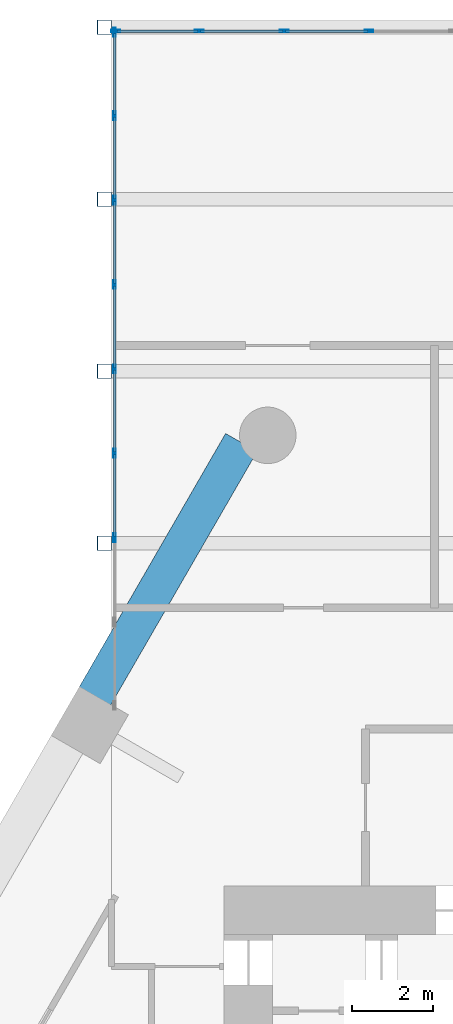
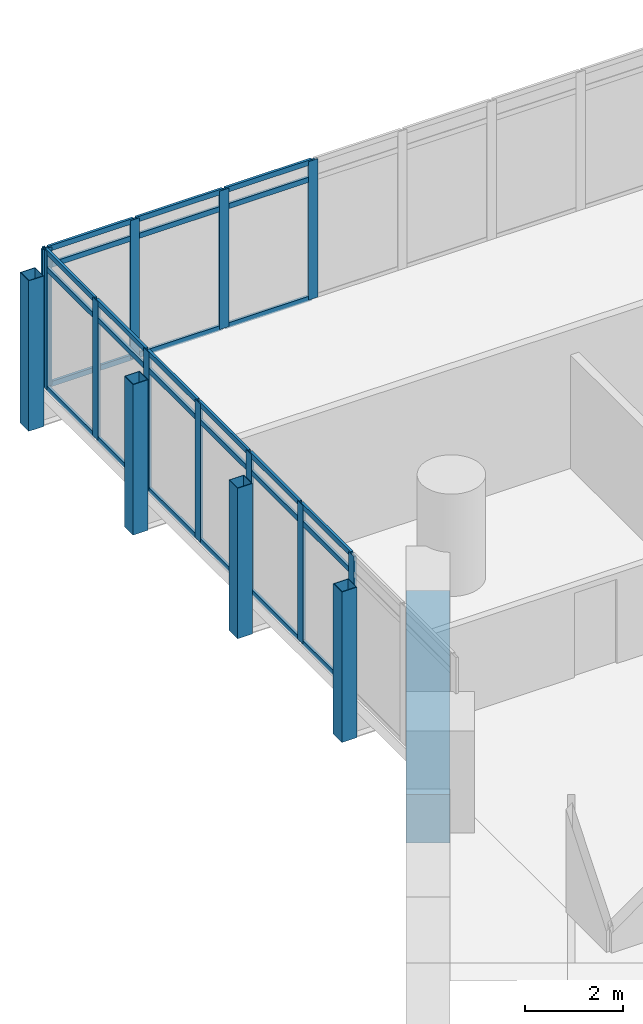
# One storey, part 13 of 28: 42 members, 1 beam, 2 elements without a shape of their own.
"""IFC4 building model written with IfcOpenShell, lengths in metres."""

from ifc_helpers import new_model, si_unit, direction, frame, origin, origin_2d, place, context, subcontext, project, spatial, rectangle, hollow_rectangle, extrude, material, material_profile, profile_set, type_object, element, aggregate, save


model = new_model("IFC4")

# Units and contexts
model_context = context("Model", 3, precision=1e-05, world=origin(), true_north=direction((0.0, 1.0)))
body_context = subcontext(model_context, "Body", "Model", "MODEL_VIEW")
ifc_project = project(units=[si_unit("LENGTHUNIT", "METRE"), si_unit("AREAUNIT", "SQUARE_METRE"), si_unit("VOLUMEUNIT", "CUBIC_METRE"), si_unit("PLANEANGLEUNIT", "RADIAN"), si_unit("MASSUNIT", "GRAM", prefix="KILO")], contexts=[model_context])

# Site, building, storey
site_placement = place(None, origin())
site = spatial("IfcSite", under=ifc_project, at=site_placement, CompositionType="ELEMENT")
building_placement = place(site_placement, origin())
building = spatial("IfcBuilding", under=site, at=building_placement, Name="Ostrander Bayou Hotel Tower", CompositionType="ELEMENT")
storey_placement = place(building_placement, frame((0.0, 0.0, 73.0)))
storey = spatial("IfcBuildingStorey", under=building, at=storey_placement, Name="L18", CompositionType="ELEMENT", Elevation=73.0)

# Curtain wall, members
ifc_material_1 = material(Name="Aluminium and clear glass", Category="aluminium")
curtain_wall_type = type_object("IfcCurtainWallType", Name="CW-BAR glazed wall", PredefinedType="NOTDEFINED", material=ifc_material_1)
curtain_wall_1_placement = place(storey_placement, origin())
curtain_wall_1 = element("IfcCurtainWall", 1, at=curtain_wall_1_placement, inside=storey, type_object=curtain_wall_type, Name="CW-BAR L18:SB1N:E", PredefinedType="NOTDEFINED")
ifc_material_2 = material(Name="Aluminium", Category="aluminium")
ifc_material_profile_1 = material_profile(ifc_material_2, hollow_rectangle(XDim=0.06005859375, YDim=0.219970703125, WallThickness=0.00390625, at=origin_2d()))
ifc_profile_set_1 = profile_set([ifc_material_profile_1], Name="Aluminium")
member_type_1 = type_object("IfcMemberType", Name="CW-BR mullion 60 x 220 mm", PredefinedType="MULLION", material=ifc_profile_set_1)
member_1_placement = place(storey_placement, frame((-14.712158203125, 18.33154296875, 0.0), z_axis=(0.0, 0.0, 1.0), x_axis=(-1.0, 0.0, 0.0)))
member_1 = element("IfcMember", 2, at=member_1_placement, type_object=member_type_1, Name="CW-BAR mullion 3", PredefinedType="MULLION", context=body_context, shape_type="SweptSolid", body=[
    extrude(hollow_rectangle(XDim=0.06005859375, YDim=0.219970703125, WallThickness=0.00390625, at=origin_2d()), origin(), (0.0, 0.0, 1.0), 3.449951171875),
])
member_2_placement = place(storey_placement, frame((-14.712158203125, 20.424072265625, 0.0), z_axis=(0.0, 0.0, 1.0), x_axis=(-1.0, 0.0, 0.0)))
member_2 = element("IfcMember", 3, at=member_2_placement, type_object=member_type_1, Name="CW-BAR mullion 4", PredefinedType="MULLION", context=body_context, shape_type="SweptSolid", body=[
    extrude(hollow_rectangle(XDim=0.06005859375, YDim=0.219970703125, WallThickness=0.00390625, at=origin_2d()), origin(), (0.0, 0.0, 1.0), 3.449951171875),
])
member_3_placement = place(storey_placement, frame((-14.712158203125, 22.5166015625, 0.0), z_axis=(0.0, 0.0, 1.0), x_axis=(-1.0, 0.0, 0.0)))
member_3 = element("IfcMember", 4, at=member_3_placement, type_object=member_type_1, Name="CW-BAR mullion 5", PredefinedType="MULLION", context=body_context, shape_type="SweptSolid", body=[
    extrude(hollow_rectangle(XDim=0.06005859375, YDim=0.219970703125, WallThickness=0.00390625, at=origin_2d()), origin(), (0.0, 0.0, 1.0), 3.449951171875),
])
member_4_placement = place(storey_placement, frame((-14.712158203125, 24.60888671875, 0.0), z_axis=(0.0, 0.0, 1.0), x_axis=(-1.0, 0.0, 0.0)))
member_4 = element("IfcMember", 5, at=member_4_placement, type_object=member_type_1, Name="CW-BAR mullion 6", PredefinedType="MULLION", context=body_context, shape_type="SweptSolid", body=[
    extrude(hollow_rectangle(XDim=0.06005859375, YDim=0.219970703125, WallThickness=0.00390625, at=origin_2d()), origin(), (0.0, 0.0, 1.0), 3.449951171875),
])
member_5_placement = place(storey_placement, frame((-14.712158203125, 26.701416015625, 0.0), z_axis=(0.0, 0.0, 1.0), x_axis=(-1.0, 0.0, 0.0)))
member_5 = element("IfcMember", 6, at=member_5_placement, type_object=member_type_1, Name="CW-BAR mullion 7", PredefinedType="MULLION", context=body_context, shape_type="SweptSolid", body=[
    extrude(hollow_rectangle(XDim=0.06005859375, YDim=0.219970703125, WallThickness=0.00390625, at=origin_2d()), origin(), (0.0, 0.0, 1.0), 3.449951171875),
])
member_6_placement = place(storey_placement, frame((-14.712158203125, 28.793701171875, 0.0), z_axis=(0.0, 0.0, 1.0), x_axis=(-1.0, 0.0, 0.0)))
member_6 = element("IfcMember", 7, at=member_6_placement, type_object=member_type_1, Name="CW-BAR mullion 8", PredefinedType="MULLION", context=body_context, shape_type="SweptSolid", body=[
    extrude(hollow_rectangle(XDim=0.06005859375, YDim=0.219970703125, WallThickness=0.00390625, at=origin_2d()), origin(), (0.0, 0.0, 1.0), 3.449951171875),
])
member_7_placement = place(storey_placement, frame((-14.712158203125, 30.856201171875, 0.0), z_axis=(0.0, 0.0, 1.0), x_axis=(-1.0, 0.0, 0.0)))
member_7 = element("IfcMember", 8, at=member_7_placement, type_object=member_type_1, Name="CW-BAR mullion 9", PredefinedType="MULLION", context=body_context, shape_type="SweptSolid", body=[
    extrude(hollow_rectangle(XDim=0.06005859375, YDim=0.219970703125, WallThickness=0.00390625, at=origin_2d()), origin(), (0.0, 0.0, 1.0), 3.449951171875),
])

curtain_wall_2_placement = place(storey_placement, origin())
curtain_wall_2 = element("IfcCurtainWall", 9, at=curtain_wall_2_placement, inside=storey, type_object=curtain_wall_type, Name="CW-BAR L18:SB1N:T", PredefinedType="NOTDEFINED")
member_8_placement = place(storey_placement, frame((-14.68212890625, 30.88623046875, 0.0), z_axis=(0.0, 0.0, 1.0), x_axis=(0.0, 1.0, 0.0)))
member_8 = element("IfcMember", 10, at=member_8_placement, type_object=member_type_1, Name="CW-BAR mullion 1", PredefinedType="MULLION", context=body_context, shape_type="SweptSolid", body=[
    extrude(hollow_rectangle(XDim=0.06005859375, YDim=0.219970703125, WallThickness=0.00390625, at=origin_2d()), origin(), (0.0, 0.0, 1.0), 3.449951171875),
])
member_9_placement = place(storey_placement, frame((-12.6103515625, 30.88623046875, 0.0), z_axis=(0.0, 0.0, 1.0), x_axis=(0.0, 1.0, 0.0)))
member_9 = element("IfcMember", 11, at=member_9_placement, type_object=member_type_1, Name="CW-BAR mullion 2", PredefinedType="MULLION", context=body_context, shape_type="SweptSolid", body=[
    extrude(hollow_rectangle(XDim=0.06005859375, YDim=0.219970703125, WallThickness=0.00390625, at=origin_2d()), origin(), (0.0, 0.0, 1.0), 3.449951171875),
])
member_10_placement = place(storey_placement, frame((-10.5087890625, 30.88623046875, 0.0), z_axis=(0.0, 0.0, 1.0), x_axis=(0.0, 1.0, 0.0)))
member_10 = element("IfcMember", 12, at=member_10_placement, type_object=member_type_1, Name="CW-BAR mullion 3", PredefinedType="MULLION", context=body_context, shape_type="SweptSolid", body=[
    extrude(hollow_rectangle(XDim=0.06005859375, YDim=0.219970703125, WallThickness=0.00390625, at=origin_2d()), origin(), (0.0, 0.0, 1.0), 3.449951171875),
])
member_11_placement = place(storey_placement, frame((-8.406982421875, 30.88623046875, 0.0), z_axis=(0.0, 0.0, 1.0), x_axis=(0.0, 1.0, 0.0)))
member_11 = element("IfcMember", 13, at=member_11_placement, type_object=member_type_1, Name="CW-BAR mullion 4", PredefinedType="MULLION", context=body_context, shape_type="SweptSolid", body=[
    extrude(hollow_rectangle(XDim=0.06005859375, YDim=0.219970703125, WallThickness=0.00390625, at=origin_2d()), origin(), (0.0, 0.0, 1.0), 3.449951171875),
])

# Member
ifc_material_3 = material(Name="Aluminium", Category="aluminium")
ifc_material_profile_2 = material_profile(ifc_material_3, hollow_rectangle(XDim=0.06005859375, YDim=0.1298828125, WallThickness=0.00390625, at=origin_2d()))
ifc_profile_set_2 = profile_set([ifc_material_profile_2], Name="Aluminium")
member_type_2 = type_object("IfcMemberType", Name="CW-BR transom 60 x 130 mm", PredefinedType="USERDEFINED", material=ifc_profile_set_2)
member_12_placement = place(storey_placement, frame((-14.712158203125, 18.361572265625, 0.030029296875), z_axis=(0.0, 1.0, 0.0), x_axis=(-1.0, 0.0, 0.0)))
member_12 = element("IfcMember", 14, at=member_12_placement, type_object=member_type_2, Name="CW-BAR transom 3.1", ObjectType="TRANSOM", PredefinedType="USERDEFINED", context=body_context, shape_type="SweptSolid", body=[
    extrude(hollow_rectangle(XDim=0.06005859375, YDim=0.1298828125, WallThickness=0.00390625, at=origin_2d()), origin(), (0.0, 0.0, 1.0), 2.032470703125),
])

member_13_placement = place(storey_placement, frame((-14.712158203125, 18.361572265625, 3.0), z_axis=(0.0, 1.0, 0.0), x_axis=(-1.0, 0.0, 0.0)))
member_13 = element("IfcMember", 15, at=member_13_placement, type_object=member_type_2, Name="CW-BAR transom 3.2", ObjectType="TRANSOM", PredefinedType="USERDEFINED", context=body_context, shape_type="SweptSolid", body=[
    extrude(hollow_rectangle(XDim=0.06005859375, YDim=0.1298828125, WallThickness=0.00390625, at=origin_2d()), origin(), (0.0, 0.0, 1.0), 2.032470703125),
])

member_14_placement = place(storey_placement, frame((-14.712158203125, 18.361572265625, 3.419921875), z_axis=(0.0, 1.0, 0.0), x_axis=(-1.0, 0.0, 0.0)))
member_14 = element("IfcMember", 16, at=member_14_placement, type_object=member_type_2, Name="CW-BAR transom 3.3", ObjectType="TRANSOM", PredefinedType="USERDEFINED", context=body_context, shape_type="SweptSolid", body=[
    extrude(hollow_rectangle(XDim=0.06005859375, YDim=0.1298828125, WallThickness=0.00390625, at=origin_2d()), origin(), (0.0, 0.0, 1.0), 2.032470703125),
])

member_15_placement = place(storey_placement, frame((-14.712158203125, 20.4541015625, 0.030029296875), z_axis=(0.0, 1.0, 0.0), x_axis=(-1.0, 0.0, 0.0)))
member_15 = element("IfcMember", 17, at=member_15_placement, type_object=member_type_2, Name="CW-BAR transom 4.1", ObjectType="TRANSOM", PredefinedType="USERDEFINED", context=body_context, shape_type="SweptSolid", body=[
    extrude(hollow_rectangle(XDim=0.06005859375, YDim=0.1298828125, WallThickness=0.00390625, at=origin_2d()), origin(), (0.0, 0.0, 1.0), 2.032470703125),
])

member_16_placement = place(storey_placement, frame((-14.712158203125, 20.4541015625, 3.0), z_axis=(0.0, 1.0, 0.0), x_axis=(-1.0, 0.0, 0.0)))
member_16 = element("IfcMember", 18, at=member_16_placement, type_object=member_type_2, Name="CW-BAR transom 4.2", ObjectType="TRANSOM", PredefinedType="USERDEFINED", context=body_context, shape_type="SweptSolid", body=[
    extrude(hollow_rectangle(XDim=0.06005859375, YDim=0.1298828125, WallThickness=0.00390625, at=origin_2d()), origin(), (0.0, 0.0, 1.0), 2.032470703125),
])

member_17_placement = place(storey_placement, frame((-14.712158203125, 20.4541015625, 3.419921875), z_axis=(0.0, 1.0, 0.0), x_axis=(-1.0, 0.0, 0.0)))
member_17 = element("IfcMember", 19, at=member_17_placement, type_object=member_type_2, Name="CW-BAR transom 4.3", ObjectType="TRANSOM", PredefinedType="USERDEFINED", context=body_context, shape_type="SweptSolid", body=[
    extrude(hollow_rectangle(XDim=0.06005859375, YDim=0.1298828125, WallThickness=0.00390625, at=origin_2d()), origin(), (0.0, 0.0, 1.0), 2.032470703125),
])

member_18_placement = place(storey_placement, frame((-14.712158203125, 22.54638671875, 0.030029296875), z_axis=(0.0, 1.0, 0.0), x_axis=(-1.0, 0.0, 0.0)))
member_18 = element("IfcMember", 20, at=member_18_placement, type_object=member_type_2, Name="CW-BAR transom 5.1", ObjectType="TRANSOM", PredefinedType="USERDEFINED", context=body_context, shape_type="SweptSolid", body=[
    extrude(hollow_rectangle(XDim=0.06005859375, YDim=0.1298828125, WallThickness=0.00390625, at=origin_2d()), origin(), (0.0, 0.0, 1.0), 2.032470703125),
])

member_19_placement = place(storey_placement, frame((-14.712158203125, 22.54638671875, 3.0), z_axis=(0.0, 1.0, 0.0), x_axis=(-1.0, 0.0, 0.0)))
member_19 = element("IfcMember", 21, at=member_19_placement, type_object=member_type_2, Name="CW-BAR transom 5.2", ObjectType="TRANSOM", PredefinedType="USERDEFINED", context=body_context, shape_type="SweptSolid", body=[
    extrude(hollow_rectangle(XDim=0.06005859375, YDim=0.1298828125, WallThickness=0.00390625, at=origin_2d()), origin(), (0.0, 0.0, 1.0), 2.032470703125),
])

member_20_placement = place(storey_placement, frame((-14.712158203125, 22.54638671875, 3.419921875), z_axis=(0.0, 1.0, 0.0), x_axis=(-1.0, 0.0, 0.0)))
member_20 = element("IfcMember", 22, at=member_20_placement, type_object=member_type_2, Name="CW-BAR transom 5.3", ObjectType="TRANSOM", PredefinedType="USERDEFINED", context=body_context, shape_type="SweptSolid", body=[
    extrude(hollow_rectangle(XDim=0.06005859375, YDim=0.1298828125, WallThickness=0.00390625, at=origin_2d()), origin(), (0.0, 0.0, 1.0), 2.032470703125),
])

member_21_placement = place(storey_placement, frame((-14.712158203125, 24.638916015625, 0.030029296875), z_axis=(0.0, 1.0, 0.0), x_axis=(-1.0, 0.0, 0.0)))
member_21 = element("IfcMember", 23, at=member_21_placement, type_object=member_type_2, Name="CW-BAR transom 6.1", ObjectType="TRANSOM", PredefinedType="USERDEFINED", context=body_context, shape_type="SweptSolid", body=[
    extrude(hollow_rectangle(XDim=0.06005859375, YDim=0.1298828125, WallThickness=0.00390625, at=origin_2d()), origin(), (0.0, 0.0, 1.0), 2.032470703125),
])

member_22_placement = place(storey_placement, frame((-14.712158203125, 24.638916015625, 3.0), z_axis=(0.0, 1.0, 0.0), x_axis=(-1.0, 0.0, 0.0)))
member_22 = element("IfcMember", 24, at=member_22_placement, type_object=member_type_2, Name="CW-BAR transom 6.2", ObjectType="TRANSOM", PredefinedType="USERDEFINED", context=body_context, shape_type="SweptSolid", body=[
    extrude(hollow_rectangle(XDim=0.06005859375, YDim=0.1298828125, WallThickness=0.00390625, at=origin_2d()), origin(), (0.0, 0.0, 1.0), 2.032470703125),
])

member_23_placement = place(storey_placement, frame((-14.712158203125, 24.638916015625, 3.419921875), z_axis=(0.0, 1.0, 0.0), x_axis=(-1.0, 0.0, 0.0)))
member_23 = element("IfcMember", 25, at=member_23_placement, type_object=member_type_2, Name="CW-BAR transom 6.3", ObjectType="TRANSOM", PredefinedType="USERDEFINED", context=body_context, shape_type="SweptSolid", body=[
    extrude(hollow_rectangle(XDim=0.06005859375, YDim=0.1298828125, WallThickness=0.00390625, at=origin_2d()), origin(), (0.0, 0.0, 1.0), 2.032470703125),
])

member_24_placement = place(storey_placement, frame((-14.712158203125, 26.7314453125, 0.030029296875), z_axis=(0.0, 1.0, 0.0), x_axis=(-1.0, 0.0, 0.0)))
member_24 = element("IfcMember", 26, at=member_24_placement, type_object=member_type_2, Name="CW-BAR transom 7.1", ObjectType="TRANSOM", PredefinedType="USERDEFINED", context=body_context, shape_type="SweptSolid", body=[
    extrude(hollow_rectangle(XDim=0.06005859375, YDim=0.1298828125, WallThickness=0.00390625, at=origin_2d()), origin(), (0.0, 0.0, 1.0), 2.0322265625),
])

member_25_placement = place(storey_placement, frame((-14.712158203125, 26.7314453125, 3.0), z_axis=(0.0, 1.0, 0.0), x_axis=(-1.0, 0.0, 0.0)))
member_25 = element("IfcMember", 27, at=member_25_placement, type_object=member_type_2, Name="CW-BAR transom 7.2", ObjectType="TRANSOM", PredefinedType="USERDEFINED", context=body_context, shape_type="SweptSolid", body=[
    extrude(hollow_rectangle(XDim=0.06005859375, YDim=0.1298828125, WallThickness=0.00390625, at=origin_2d()), origin(), (0.0, 0.0, 1.0), 2.0322265625),
])

member_26_placement = place(storey_placement, frame((-14.712158203125, 26.7314453125, 3.419921875), z_axis=(0.0, 1.0, 0.0), x_axis=(-1.0, 0.0, 0.0)))
member_26 = element("IfcMember", 28, at=member_26_placement, type_object=member_type_2, Name="CW-BAR transom 7.3", ObjectType="TRANSOM", PredefinedType="USERDEFINED", context=body_context, shape_type="SweptSolid", body=[
    extrude(hollow_rectangle(XDim=0.06005859375, YDim=0.1298828125, WallThickness=0.00390625, at=origin_2d()), origin(), (0.0, 0.0, 1.0), 2.0322265625),
])

member_27_placement = place(storey_placement, frame((-14.712158203125, 28.82373046875, 0.030029296875), z_axis=(0.0, 1.0, 0.0), x_axis=(-1.0, 0.0, 0.0)))
member_27 = element("IfcMember", 29, at=member_27_placement, type_object=member_type_2, Name="CW-BAR transom 8.1", ObjectType="TRANSOM", PredefinedType="USERDEFINED", context=body_context, shape_type="SweptSolid", body=[
    extrude(hollow_rectangle(XDim=0.06005859375, YDim=0.1298828125, WallThickness=0.00390625, at=origin_2d()), origin(), (0.0, 0.0, 1.0), 2.00244140625),
])

member_28_placement = place(storey_placement, frame((-14.712158203125, 28.82373046875, 3.0), z_axis=(0.0, 1.0, 0.0), x_axis=(-1.0, 0.0, 0.0)))
member_28 = element("IfcMember", 30, at=member_28_placement, type_object=member_type_2, Name="CW-BAR transom 8.2", ObjectType="TRANSOM", PredefinedType="USERDEFINED", context=body_context, shape_type="SweptSolid", body=[
    extrude(hollow_rectangle(XDim=0.06005859375, YDim=0.1298828125, WallThickness=0.00390625, at=origin_2d()), origin(), (0.0, 0.0, 1.0), 2.00244140625),
])

member_29_placement = place(storey_placement, frame((-14.712158203125, 28.82373046875, 3.419921875), z_axis=(0.0, 1.0, 0.0), x_axis=(-1.0, 0.0, 0.0)))
member_29 = element("IfcMember", 31, at=member_29_placement, type_object=member_type_2, Name="CW-BAR transom 8.3", ObjectType="TRANSOM", PredefinedType="USERDEFINED", context=body_context, shape_type="SweptSolid", body=[
    extrude(hollow_rectangle(XDim=0.06005859375, YDim=0.1298828125, WallThickness=0.00390625, at=origin_2d()), origin(), (0.0, 0.0, 1.0), 2.00244140625),
])

aggregate(curtain_wall_1, [member_1, member_2, member_3, member_4, member_5, member_6, member_7, member_12, member_13, member_14, member_15, member_16, member_17, member_18, member_19, member_20, member_21, member_22, member_23, member_24, member_25, member_26, member_27, member_28, member_29])

member_30_placement = place(storey_placement, frame((-14.652099609375, 30.88623046875, 0.030029296875), z_axis=(1.0, 0.0, 0.0), x_axis=(0.0, 1.0, 0.0)))
member_30 = element("IfcMember", 32, at=member_30_placement, type_object=member_type_2, Name="CW-BAR transom 1.1", ObjectType="TRANSOM", PredefinedType="USERDEFINED", context=body_context, shape_type="SweptSolid", body=[
    extrude(hollow_rectangle(XDim=0.06005859375, YDim=0.1298828125, WallThickness=0.00390625, at=origin_2d()), origin(), (0.0, 0.0, 1.0), 2.01171875),
])

member_31_placement = place(storey_placement, frame((-14.652099609375, 30.88623046875, 3.0), z_axis=(1.0, 0.0, 0.0), x_axis=(0.0, 1.0, 0.0)))
member_31 = element("IfcMember", 33, at=member_31_placement, type_object=member_type_2, Name="CW-BAR transom 1.2", ObjectType="TRANSOM", PredefinedType="USERDEFINED", context=body_context, shape_type="SweptSolid", body=[
    extrude(hollow_rectangle(XDim=0.06005859375, YDim=0.1298828125, WallThickness=0.00390625, at=origin_2d()), origin(), (0.0, 0.0, 1.0), 2.01171875),
])

member_32_placement = place(storey_placement, frame((-14.652099609375, 30.88623046875, 3.419921875), z_axis=(1.0, 0.0, 0.0), x_axis=(0.0, 1.0, 0.0)))
member_32 = element("IfcMember", 34, at=member_32_placement, type_object=member_type_2, Name="CW-BAR transom 1.3", ObjectType="TRANSOM", PredefinedType="USERDEFINED", context=body_context, shape_type="SweptSolid", body=[
    extrude(hollow_rectangle(XDim=0.06005859375, YDim=0.1298828125, WallThickness=0.00390625, at=origin_2d()), origin(), (0.0, 0.0, 1.0), 2.01171875),
])

member_33_placement = place(storey_placement, frame((-12.58056640625, 30.88623046875, 0.030029296875), z_axis=(1.0, 0.0, 0.0), x_axis=(0.0, 1.0, 0.0)))
member_33 = element("IfcMember", 35, at=member_33_placement, type_object=member_type_2, Name="CW-BAR transom 2.1", ObjectType="TRANSOM", PredefinedType="USERDEFINED", context=body_context, shape_type="SweptSolid", body=[
    extrude(hollow_rectangle(XDim=0.06005859375, YDim=0.1298828125, WallThickness=0.00390625, at=origin_2d()), origin(), (0.0, 0.0, 1.0), 2.041748046875),
])

member_34_placement = place(storey_placement, frame((-12.58056640625, 30.88623046875, 3.0), z_axis=(1.0, 0.0, 0.0), x_axis=(0.0, 1.0, 0.0)))
member_34 = element("IfcMember", 36, at=member_34_placement, type_object=member_type_2, Name="CW-BAR transom 2.2", ObjectType="TRANSOM", PredefinedType="USERDEFINED", context=body_context, shape_type="SweptSolid", body=[
    extrude(hollow_rectangle(XDim=0.06005859375, YDim=0.1298828125, WallThickness=0.00390625, at=origin_2d()), origin(), (0.0, 0.0, 1.0), 2.041748046875),
])

member_35_placement = place(storey_placement, frame((-12.58056640625, 30.88623046875, 3.419921875), z_axis=(1.0, 0.0, 0.0), x_axis=(0.0, 1.0, 0.0)))
member_35 = element("IfcMember", 37, at=member_35_placement, type_object=member_type_2, Name="CW-BAR transom 2.3", ObjectType="TRANSOM", PredefinedType="USERDEFINED", context=body_context, shape_type="SweptSolid", body=[
    extrude(hollow_rectangle(XDim=0.06005859375, YDim=0.1298828125, WallThickness=0.00390625, at=origin_2d()), origin(), (0.0, 0.0, 1.0), 2.041748046875),
])

member_36_placement = place(storey_placement, frame((-10.478759765625, 30.88623046875, 0.030029296875), z_axis=(1.0, 0.0, 0.0), x_axis=(0.0, 1.0, 0.0)))
member_36 = element("IfcMember", 38, at=member_36_placement, type_object=member_type_2, Name="CW-BAR transom 3.1", ObjectType="TRANSOM", PredefinedType="USERDEFINED", context=body_context, shape_type="SweptSolid", body=[
    extrude(hollow_rectangle(XDim=0.06005859375, YDim=0.1298828125, WallThickness=0.00390625, at=origin_2d()), origin(), (0.0, 0.0, 1.0), 2.041748046875),
])

member_37_placement = place(storey_placement, frame((-10.478759765625, 30.88623046875, 3.0), z_axis=(1.0, 0.0, 0.0), x_axis=(0.0, 1.0, 0.0)))
member_37 = element("IfcMember", 39, at=member_37_placement, type_object=member_type_2, Name="CW-BAR transom 3.2", ObjectType="TRANSOM", PredefinedType="USERDEFINED", context=body_context, shape_type="SweptSolid", body=[
    extrude(hollow_rectangle(XDim=0.06005859375, YDim=0.1298828125, WallThickness=0.00390625, at=origin_2d()), origin(), (0.0, 0.0, 1.0), 2.041748046875),
])

member_38_placement = place(storey_placement, frame((-10.478759765625, 30.88623046875, 3.419921875), z_axis=(1.0, 0.0, 0.0), x_axis=(0.0, 1.0, 0.0)))
member_38 = element("IfcMember", 40, at=member_38_placement, type_object=member_type_2, Name="CW-BAR transom 3.3", ObjectType="TRANSOM", PredefinedType="USERDEFINED", context=body_context, shape_type="SweptSolid", body=[
    extrude(hollow_rectangle(XDim=0.06005859375, YDim=0.1298828125, WallThickness=0.00390625, at=origin_2d()), origin(), (0.0, 0.0, 1.0), 2.041748046875),
])

aggregate(curtain_wall_2, [member_8, member_9, member_10, member_11, member_30, member_31, member_32, member_33, member_34, member_35, member_36, member_37, member_38])

# Beam
ifc_material_4 = material(Name="Concrete f'c 70 MPa", Category="concrete")
ifc_material_profile_3 = material_profile(ifc_material_4, rectangle(XDim=0.89990234375, YDim=1.199951171875, at=origin_2d()))
ifc_profile_set_3 = profile_set([ifc_material_profile_3], Name="Concrete f'c 70 MPa")
beam_type = type_object("IfcBeamType", Name="SP1 spandrel beam 900 x 1200 mm f'c 70 MPa", PredefinedType="SPANDREL", material=ifc_profile_set_3)
beam_placement = place(storey_placement, frame((-11.5712890625, 20.694091796875, -0.60009765625), z_axis=(-0.50000343918, -0.866023418164, 0.0), x_axis=(0.866023418164, -0.50000343918, 0.0)))
element("IfcBeam", 41, at=beam_placement, inside=storey, type_object=beam_type, Name="SP1 L18 NW-1", PredefinedType="SPANDREL", context=body_context, shape_type="SweptSolid", body=[
    extrude(rectangle(XDim=0.89990234375, YDim=1.199951171875, at=origin_2d()), origin(), (0.0, 0.0, 1.0), 7.2705078125),
])

# Members
ifc_material_5 = material(Name="Steel ASTM A500 Gr C", Category="steel")
ifc_material_profile_4 = material_profile(ifc_material_5, hollow_rectangle(XDim=0.355712890625, YDim=0.355712890625, WallThickness=0.0146484375, at=origin_2d()))
ifc_profile_set_4 = profile_set([ifc_material_profile_4], Name="Steel ASTM A500 Gr C")
member_type_3 = type_object("IfcMemberType", Name="TH1 bar hanger HSS14x14x5/8", PredefinedType="POST", material=ifc_profile_set_4)
for number, where, z_axis, x_axis, name in (
    (42, (-14.965087890625, 30.986083984375, -0.921875), (0.0, 0.0, 1.0), (1.0, 0.0, 0.0), "TH1 SB1WA H1-3"),
    (43, (-14.965087890625, 26.723876953125, -0.921875), (0.0, 0.0, 1.0), (1.0, 0.0, 0.0), "TH1 SB1WA H2-3"),
    (44, (-14.965087890625, 22.46142578125, -0.921875), (0.0, 0.0, 1.0), (1.0, 0.0, 0.0), "TH1 SB1WA H3-3"),
    (45, (-14.965087890625, 18.198974609375, -0.921875), (0.0, 0.0, 1.0), (1.0, 0.0, 0.0), "TH1 SB1WA H4-3"),
):
    element("IfcMember", number, at=place(storey_placement, frame(where, z_axis=z_axis, x_axis=x_axis)), inside=storey, type_object=member_type_3, Name=name, PredefinedType="POST", context=body_context, shape_type="SweptSolid", body=[
        extrude(hollow_rectangle(XDim=0.355712890625, YDim=0.355712890625, WallThickness=0.0146484375, at=origin_2d()), origin(), (0.0, 0.0, 1.0), 3.75),
    ])

save(model, "model.ifc")
